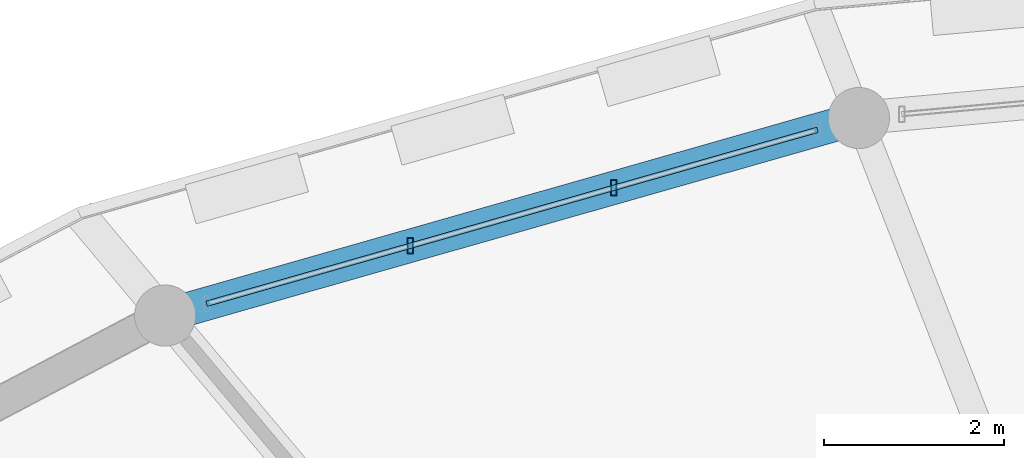
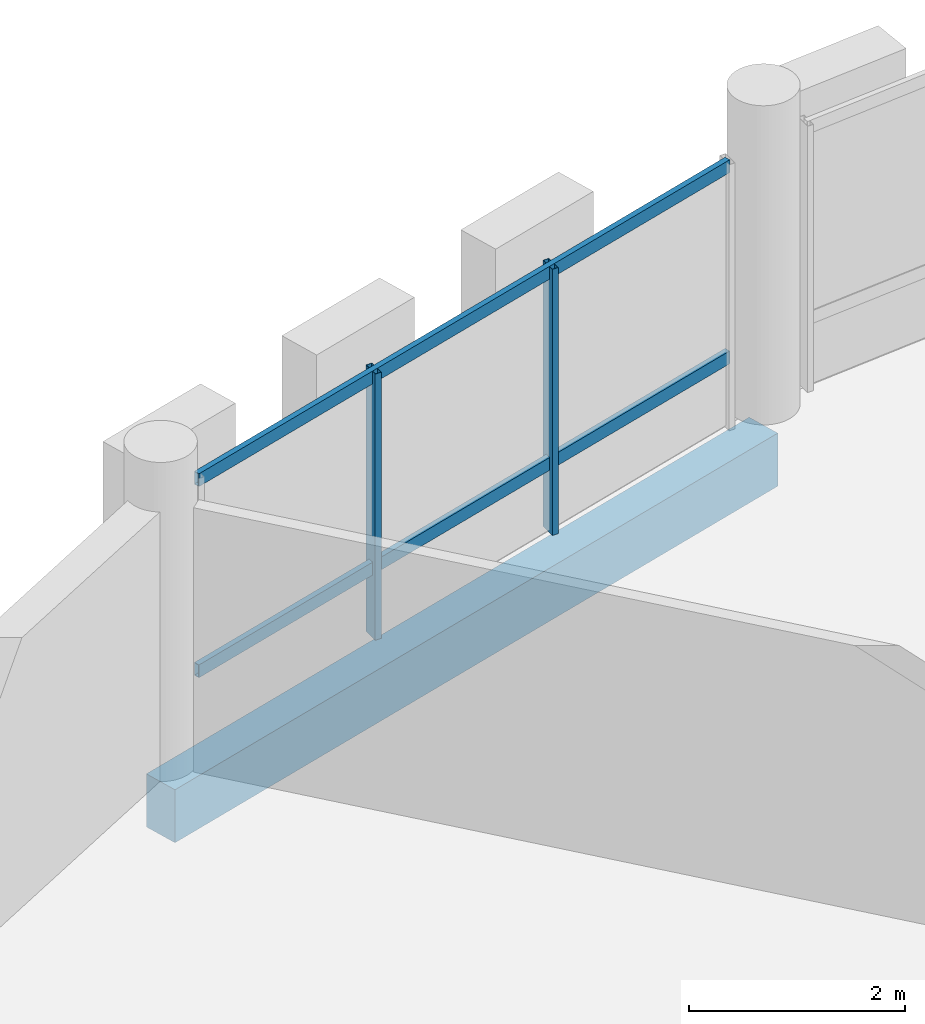
# One storey, part 68 of 128: 4 members, 1 beam, 1 element without a shape of its own.
"""IFC4 building model written with IfcOpenShell, lengths in metres."""

from ifc_helpers import new_model, si_unit, direction, frame, origin, origin_2d, place, context, subcontext, project, spatial, rectangle, hollow_rectangle, extrude, material, material_profile, profile_set, type_object, element, aggregate, save


model = new_model("IFC4")

# Units and contexts
model_context = context("Model", 3, precision=1e-05, world=origin(), true_north=direction((0.0, 1.0)))
body_context = subcontext(model_context, "Body", "Model", "MODEL_VIEW")
ifc_project = project(units=[si_unit("LENGTHUNIT", "METRE"), si_unit("AREAUNIT", "SQUARE_METRE"), si_unit("VOLUMEUNIT", "CUBIC_METRE"), si_unit("PLANEANGLEUNIT", "RADIAN"), si_unit("MASSUNIT", "GRAM", prefix="KILO")], contexts=[model_context])

# Site, building, storey
site_placement = place(None, origin())
site = spatial("IfcSite", under=ifc_project, at=site_placement, CompositionType="ELEMENT")
building_placement = place(site_placement, origin())
building = spatial("IfcBuilding", under=site, at=building_placement, Name="Zornivar Specialist Clinic", CompositionType="ELEMENT")
storey_placement = place(building_placement, frame((0.0, 0.0, 4.5)))
storey = spatial("IfcBuildingStorey", under=building, at=storey_placement, Name="L01", CompositionType="ELEMENT", Elevation=4.5)

# Beam
ifc_material_1 = material(Name="Concrete C30/37", Category="concrete")
ifc_material_profile_1 = material_profile(ifc_material_1, rectangle(XDim=0.3701171875, YDim=0.60009765625, at=origin_2d()), Name="RC 370x600")
ifc_profile_set_1 = profile_set([ifc_material_profile_1], Name="Concrete C30/37")
beam_type = type_object("IfcBeamType", Name="BM-RC-SPANDREL-370x600", PredefinedType="SPANDREL", material=ifc_profile_set_1)
beam_placement = place(storey_placement, frame((85.318115234375, 78.85009765625, -0.5400390625), z_axis=(-0.961790992591, -0.273784744957, 0.0), x_axis=(0.273784744957, -0.961790992591, 0.0)))
element("IfcBeam", 1, at=beam_placement, inside=storey, type_object=beam_type, Name="bm:V1:L01:outring:07", PredefinedType="SPANDREL", context=body_context, shape_type="SweptSolid", body=[
    extrude(rectangle(XDim=0.3701171875, YDim=0.60009765625, at=origin_2d()), origin(), (0.0, 0.0, 1.0), 8.024658203125),
])

# Curtain wall, members
ifc_material_2 = material(Name="Aluminium and Low-E Glass Curtain Wall", Category="aluminium")
curtain_wall_type = type_object("IfcCurtainWallType", Name="CW-DRUM-FACET", PredefinedType="NOTDEFINED", material=ifc_material_2)
curtain_wall_placement = place(storey_placement, origin())
curtain_wall = element("IfcCurtainWall", 2, at=curtain_wall_placement, inside=storey, type_object=curtain_wall_type, Name="cw:V1:L01:c07", PredefinedType="NOTDEFINED")
ifc_material_3 = material(Name="Aluminium AW-6060", Category="aluminium")
ifc_material_profile_2 = material_profile(ifc_material_3, hollow_rectangle(XDim=0.06494140625, YDim=0.175048828125, WallThickness=0.00439453125, at=origin_2d()), Name="ALU 65x175x4.5")
ifc_profile_set_2 = profile_set([ifc_material_profile_2], Name="Aluminium AW-6060")
member_type_1 = type_object("IfcMemberType", Name="CWM-MUL-175", PredefinedType="MULLION", material=ifc_profile_set_2)
member_1_placement = place(storey_placement, frame((82.592041015625, 78.073974609375, 0.0), z_axis=(0.0, 0.0, 1.0), x_axis=(1.0, 0.0, 0.0)))
member_1 = element("IfcMember", 3, at=member_1_placement, type_object=member_type_1, Name="cw:V1:L01:c07:mul:1", PredefinedType="MULLION", context=body_context, shape_type="SweptSolid", body=[
    extrude(hollow_rectangle(XDim=0.06494140625, YDim=0.175048828125, WallThickness=0.00439453125, at=origin_2d()), origin(), (0.0, 0.0, 1.0), 3.010009765625),
])
member_2_placement = place(storey_placement, frame((80.325927734375, 77.429931640625, 0.0), z_axis=(0.0, 0.0, 1.0), x_axis=(1.0, 0.0, 0.0)))
member_2 = element("IfcMember", 4, at=member_2_placement, type_object=member_type_1, Name="cw:V1:L01:c07:mul:2", PredefinedType="MULLION", context=body_context, shape_type="SweptSolid", body=[
    extrude(hollow_rectangle(XDim=0.06494140625, YDim=0.175048828125, WallThickness=0.00439453125, at=origin_2d()), origin(), (0.0, 0.0, 1.0), 3.010009765625),
])
ifc_material_4 = material(Name="Aluminium AW-6060", Category="aluminium")
ifc_material_profile_3 = material_profile(ifc_material_4, hollow_rectangle(XDim=0.06005859375, YDim=0.14501953125, WallThickness=0.00390625, at=origin_2d()), Name="ALU 60x145x4")
ifc_profile_set_3 = profile_set([ifc_material_profile_3], Name="Aluminium AW-6060")
member_type_2 = type_object("IfcMemberType", Name="CWM-TRN-145", PredefinedType="USERDEFINED", material=ifc_profile_set_3)
member_3_placement = place(storey_placement, frame((84.85693359375, 78.718994140625, 0.782958984375), z_axis=(-0.961771283353, -0.27385397298, 0.0), x_axis=(0.27385397298, -0.961771283353, 0.0)))
member_3 = element("IfcMember", 5, at=member_3_placement, type_object=member_type_2, Name="cw:V1:L01:c07:trn:0", ObjectType="TRANSOM", PredefinedType="USERDEFINED", context=body_context, shape_type="SweptSolid", body=[
    extrude(hollow_rectangle(XDim=0.06005859375, YDim=0.14501953125, WallThickness=0.00390625, at=origin_2d()), origin(), (0.0, 0.0, 1.0), 7.06591796875),
])
member_4_placement = place(storey_placement, frame((84.85693359375, 78.718994140625, 2.945068359375), z_axis=(-0.961771283353, -0.27385397298, 0.0), x_axis=(0.27385397298, -0.961771283353, 0.0)))
member_4 = element("IfcMember", 6, at=member_4_placement, type_object=member_type_2, Name="cw:V1:L01:c07:trn:1", ObjectType="TRANSOM", PredefinedType="USERDEFINED", context=body_context, shape_type="SweptSolid", body=[
    extrude(hollow_rectangle(XDim=0.06005859375, YDim=0.14501953125, WallThickness=0.00390625, at=origin_2d()), origin(), (0.0, 0.0, 1.0), 7.06591796875),
])
aggregate(curtain_wall, [member_1, member_2, member_3, member_4])

save(model, "model.ifc")
